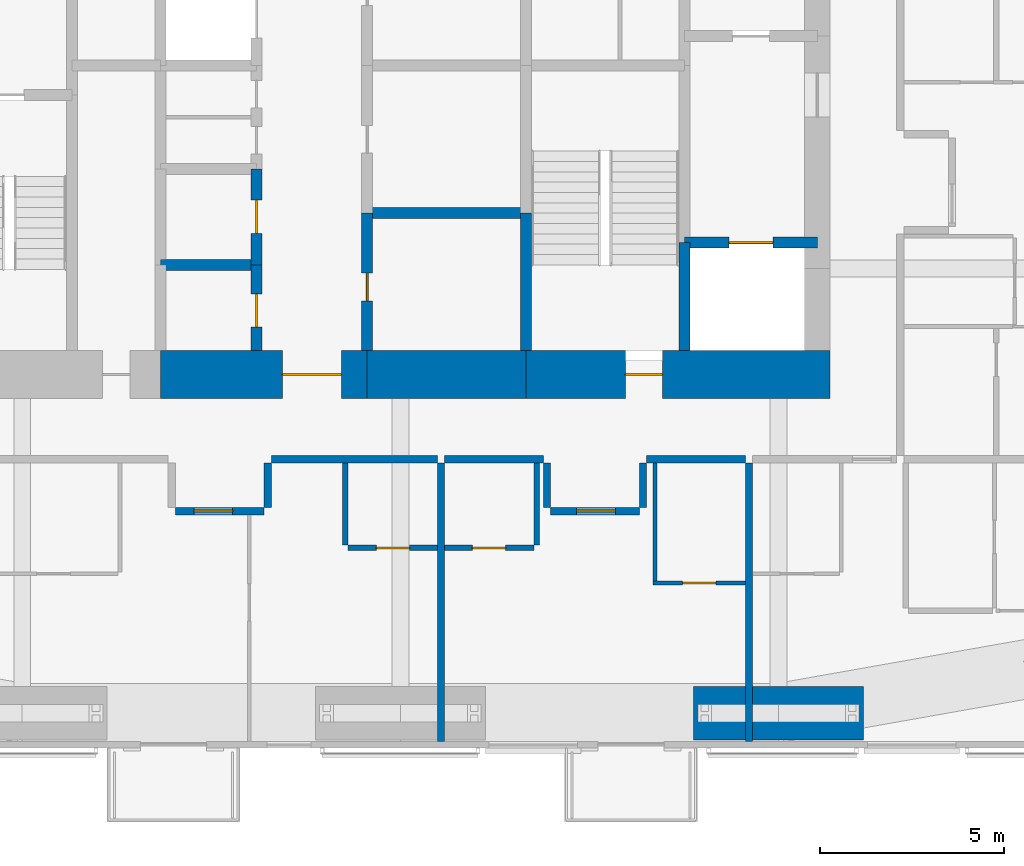
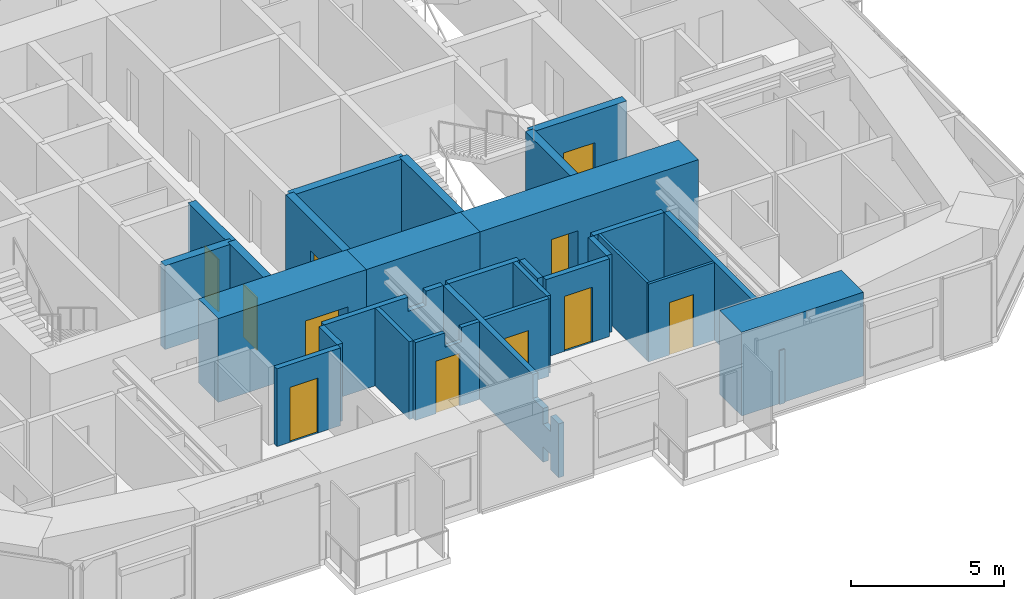
# One storey, part 16 of 23: 28 walls, 11 doors, 11 openings.
"""IFC4 building model written with IfcOpenShell, lengths in metres."""

import ifcopenshell
import ifcopenshell.guid

model = None  # the IFC model being written
_history = None  # IfcOwnerHistory: only IFC2X3 demands one
_inside = {}  # id of a spatial element -> (the spatial element, [elements in it])
_under = {}  # id of a project, library or spatial element -> (it, [spatial elements below it])
_declared = {}  # id of a project -> (the project, [libraries it declares])
_typed = {}  # id of a type object -> (the type object, [elements of that type])
_made_of = {}  # id of a material, layer set ... -> (it, [elements and type objects made of it])


def new_model(schema):
    """Start an empty IFC model of exactly this schema.

    Asked for "IFC4X3", IfcOpenShell would pick the latest addendum, in which some entities
    have other attributes; the version numbers below select the first issue.
    IFC2X3 requires an IfcOwnerHistory on every rooted entity: one is made here for all.
    """
    global model, _history
    if schema == "IFC4X3":
        model = ifcopenshell.file(schema_version=(4, 3, 0, 0))
    else:
        model = ifcopenshell.file(schema=schema)
    _inside.clear()
    _under.clear()
    _declared.clear()
    _typed.clear()
    _made_of.clear()
    _history = None
    if model.schema == "IFC2X3":
        org = make("IfcOrganization", Name="unknown")
        user = make(
            "IfcPersonAndOrganization",
            ThePerson=make("IfcPerson", FamilyName="unknown"),
            TheOrganization=org,
        )
        app = make(
            "IfcApplication",
            ApplicationDeveloper=org,
            Version="unknown",
            ApplicationFullName="unknown",
            ApplicationIdentifier="unknown",
        )
        _history = make(
            "IfcOwnerHistory",
            OwningUser=user,
            OwningApplication=app,
            ChangeAction="ADDED",
            CreationDate=0,
        )
    return model


def make(cls, **values):
    """One entity of the class cls with the attributes given. An attribute that is None is left unset."""
    return model.create_entity(
        cls, **{name: value for name, value in values.items() if value is not None}
    )


def rooted(cls, **values):
    """An entity with a GlobalId (a new one), such as an element, a storey or a relation."""
    return make(cls, GlobalId=ifcopenshell.guid.new(), OwnerHistory=_history, **values)


def si_unit(unit_type, name, prefix=None):
    """IfcSIUnit, for example si_unit("LENGTHUNIT", "METRE", prefix="MILLI")."""
    return make("IfcSIUnit", UnitType=unit_type, Prefix=prefix, Name=name)


def assignment(units):
    """IfcUnitAssignment: the units of a project."""
    return None if units is None else make("IfcUnitAssignment", Units=units)


def point(xyz):
    """IfcCartesianPoint."""
    return None if xyz is None else make("IfcCartesianPoint", Coordinates=xyz)


def direction(xyz):
    """IfcDirection."""
    return None if xyz is None else make("IfcDirection", DirectionRatios=xyz)


def frame(location, z_axis=None, x_axis=None):
    """IfcAxis2Placement3D, a coordinate frame: its origin and axes. An axis left out is left unset."""
    return make(
        "IfcAxis2Placement3D",
        Location=point(location),
        Axis=direction(z_axis),
        RefDirection=direction(x_axis),
    )


def frame_2d(location, x_axis=None):
    """IfcAxis2Placement2D, a coordinate frame in the plane: its origin and x axis."""
    return make(
        "IfcAxis2Placement2D", Location=point(location), RefDirection=direction(x_axis)
    )


def origin():
    """The frame at (0, 0, 0) with its axes left unset."""
    return frame((0.0, 0.0, 0.0))


def place(relative_to, where):
    """IfcLocalPlacement: puts the frame where relative to a parent placement (None: the world)."""
    return make(
        "IfcLocalPlacement", PlacementRelTo=relative_to, RelativePlacement=where
    )


def context(
    kind, dimensions, precision=None, world=None, true_north=None, identifier=None
):
    """IfcGeometricRepresentationContext, for example the 3D "Model" context."""
    return make(
        "IfcGeometricRepresentationContext",
        ContextIdentifier=identifier,
        ContextType=kind,
        CoordinateSpaceDimension=dimensions,
        Precision=precision,
        WorldCoordinateSystem=world,
        TrueNorth=true_north,
    )


def subcontext(parent, identifier, kind, view, scale=None):
    """IfcGeometricRepresentationSubContext, for example "Body" below "Model"."""
    return make(
        "IfcGeometricRepresentationSubContext",
        ContextIdentifier=identifier,
        ContextType=kind,
        ParentContext=parent,
        TargetScale=scale,
        TargetView=view,
    )


def project(units=None, contexts=None):
    """IfcProject with its units and contexts."""
    return rooted(
        "IfcProject",
        Name="project",
        RepresentationContexts=contexts,
        UnitsInContext=assignment(units),
    )


def spatial(cls, under=None, at=None, **own):
    """A site, building, storey or space (cls), placed at a placement, below another one or the project."""
    s = rooted(cls, ObjectPlacement=at, **own)
    if under is not None:
        _under.setdefault(under.id(), (under, []))[1].append(s)
    return s


def polyline(points):
    """IfcPolyline through the points."""
    return make("IfcPolyline", Points=[point(p) for p in points])


def profile(cls, at=None, kind="AREA", **sizes):
    """A parametric profile (cls). Its sizes go by their IFC names, for example OverallWidth=200.0."""
    return make(cls, ProfileType=kind, Position=at, **sizes)


def rectangle(**sizes):
    """IfcRectangleProfileDef."""
    return profile("IfcRectangleProfileDef", **sizes)


def outline(outer, holes=None, kind="AREA"):
    """IfcArbitraryClosedProfileDef: a profile drawn as a closed curve; with holes, ...WithVoids."""
    if holes is None:
        return make("IfcArbitraryClosedProfileDef", ProfileType=kind, OuterCurve=outer)
    return make(
        "IfcArbitraryProfileDefWithVoids",
        ProfileType=kind,
        OuterCurve=outer,
        InnerCurves=holes,
    )


def extrude(swept, where, along, depth):
    """IfcExtrudedAreaSolid: the profile swept, set in the frame where, extruded along a direction by depth."""
    return make(
        "IfcExtrudedAreaSolid",
        SweptArea=swept,
        Position=where,
        ExtrudedDirection=direction(along),
        Depth=depth,
    )


def shape(context_of_items, identifier, shape_type, items):
    """IfcShapeRepresentation: the items that make up one representation, for example the "Body"."""
    return make(
        "IfcShapeRepresentation",
        ContextOfItems=context_of_items,
        RepresentationIdentifier=identifier,
        RepresentationType=shape_type,
        Items=items,
    )


def material(Name=None, Category=None):
    """IfcMaterial."""
    return make("IfcMaterial", Name=Name, Category=Category)


def layer(
    of_material, thickness, ventilated=None, Name=None, Category=None, Priority=None
):
    """IfcMaterialLayer: one layer of a wall or slab, of a material (None: an air gap)."""
    return make(
        "IfcMaterialLayer",
        Material=of_material,
        LayerThickness=thickness,
        IsVentilated=ventilated,
        Name=Name,
        Category=Category,
        Priority=Priority,
    )


def layer_set(layers, Name=None):
    """IfcMaterialLayerSet."""
    return make("IfcMaterialLayerSet", MaterialLayers=layers, LayerSetName=Name)


def constituent(of_material, Name=None, Category=None, fraction=None):
    """IfcMaterialConstituent: one of the materials an element consists of."""
    return make(
        "IfcMaterialConstituent",
        Name=Name,
        Material=of_material,
        Fraction=fraction,
        Category=Category,
    )


def constituent_set(constituents=None, Name=None):
    """IfcMaterialConstituentSet."""
    return make(
        "IfcMaterialConstituentSet", Name=Name, MaterialConstituents=constituents
    )


def made_of(thing, what):
    """Note that an element or type object is made of a material, layer set ...; save() writes the relation."""
    if what is not None:
        _made_of.setdefault(what.id(), (what, []))[1].append(thing)
    return thing


def type_object(cls, material=None, **own):
    """A type object (cls), such as IfcWallType, which elements share."""
    return made_of(rooted(cls, **own), material)


def element(
    cls,
    number,
    at=None,
    inside=None,
    cuts=None,
    type_object=None,
    material=None,
    context=None,
    identifier="Body",
    shape_type=None,
    held_by="IfcProductDefinitionShape",
    body=None,
    shapes=None,
    **own,
):
    """One element of the class cls, such as IfcWall. Its Tag is "e" and its number.

    at: its placement. inside: the storey or other place that contains it. cuts: it is an
    opening in that element (IfcRelVoidsElement). A single representation is given by context,
    identifier, shape_type and body (its items); several are given by shapes. held_by: the class
    of the entity that holds the representations. save() writes the other relations.
    """
    e = rooted(cls, Tag="e%d" % number, ObjectPlacement=at, **own)
    if body is not None:
        shapes = [shape(context, identifier, shape_type, body)]
    if shapes is not None:
        e.Representation = make(held_by, Representations=shapes)
    if inside is not None:
        _inside.setdefault(inside.id(), (inside, []))[1].append(e)
    if cuts is not None:
        rooted(
            "IfcRelVoidsElement", RelatingBuildingElement=cuts, RelatedOpeningElement=e
        )
    if type_object is not None:
        _typed.setdefault(type_object.id(), (type_object, []))[1].append(e)
    return made_of(e, material)


def fill(opening, filler):
    """IfcRelFillsElement: the door or window that sits in an opening."""
    return rooted(
        "IfcRelFillsElement",
        RelatingOpeningElement=opening,
        RelatedBuildingElement=filler,
    )


def aggregate(whole, parts):
    """IfcRelAggregates: a whole, such as a stair, and the parts it consists of."""
    return rooted("IfcRelAggregates", RelatingObject=whole, RelatedObjects=parts)


def save(model, path):
    """Write the relations noted so far, then the file.

    IfcRelAggregates (storeys below a building ...), IfcRelContainedInSpatialStructure (elements
    in a storey), IfcRelDefinesByType, IfcRelAssociatesMaterial and IfcRelDeclares: one each for
    every whole, place, type object, material and project.
    """
    for whole, parts in _under.values():
        aggregate(whole, parts)
    for where, things in _inside.values():
        rooted(
            "IfcRelContainedInSpatialStructure",
            RelatedElements=things,
            RelatingStructure=where,
        )
    for kind, things in _typed.values():
        rooted("IfcRelDefinesByType", RelatedObjects=things, RelatingType=kind)
    for what, things in _made_of.values():
        rooted("IfcRelAssociatesMaterial", RelatedObjects=things, RelatingMaterial=what)
    for by, libraries in _declared.values():
        rooted("IfcRelDeclares", RelatingContext=by, RelatedDefinitions=libraries)
    model.write(path)


model = new_model("IFC4")

# Units and contexts
model_context = context("Model", 3, precision=1e-05, world=origin(), true_north=direction((0.0, 1.0)))
body_context = subcontext(model_context, "Body", "Model", "MODEL_VIEW")
ifc_project = project(units=[si_unit("LENGTHUNIT", "METRE"), si_unit("AREAUNIT", "SQUARE_METRE"), si_unit("VOLUMEUNIT", "CUBIC_METRE"), si_unit("PLANEANGLEUNIT", "RADIAN"), si_unit("MASSUNIT", "GRAM", prefix="KILO")], contexts=[model_context])

# Site, building, storey
site_placement = place(None, origin())
site = spatial("IfcSite", under=ifc_project, at=site_placement, CompositionType="ELEMENT")
building_placement = place(site_placement, origin())
building = spatial("IfcBuilding", under=site, at=building_placement, Name="Jalousie Tower", CompositionType="ELEMENT")
storey_placement = place(building_placement, frame((0.0, 0.0, 164.39990234375)))
storey = spatial("IfcBuildingStorey", under=building, at=storey_placement, Name="L44", CompositionType="ELEMENT", Elevation=164.39990234375)

# Wall, opening, door
ifc_material_1 = material(Name="Concrete block ASTM C90", Category="concrete")
ifc_constituent_1 = constituent(ifc_material_1, Name="Body")
ifc_material_2 = material(Name="Render")
ifc_constituent_2 = constituent(ifc_material_2, Name="Finish")
ifc_constituent_set_1 = constituent_set(constituents=[ifc_constituent_1, ifc_constituent_2])
wall_type_1 = type_object("IfcWallType", Name="BATHROOM WALL 150", PredefinedType="PLUMBINGWALL", material=ifc_constituent_set_1)
wall_1_placement = place(storey_placement, frame((31.074951171875, 5.425048828125, 0.0), z_axis=(0.0, 0.0, 1.0), x_axis=(1.0, 0.0, 0.0)))
wall_1 = element("IfcWall", 1, at=wall_1_placement, inside=storey, type_object=wall_type_1, Name="Bathroom Wall 150 L44", PredefinedType="PLUMBINGWALL", context=body_context, shape_type="SweptSolid", body=[
    extrude(outline(polyline([(0.0, 0.0), (2.425048828125, 0.0), (2.425048828125, 3.110107421875), (1.7373046875, 3.110107421875), (1.7373046875, 2.541015625), (1.112548828125, 2.541015625), (1.112548828125, 3.110107421875), (0.0, 3.110107421875), (0.0, 0.0)])), frame((0.0, 0.074951171875, 0.0), z_axis=(0.0, -1.0, 0.0), x_axis=(1.0, 0.0, 0.0)), (0.0, 0.0, 1.0), 0.14990234375),
])
opening_1_placement = place(wall_1_placement, frame((0.77490234375, 0.0, 0.0)))
opening_1 = element("IfcOpeningElement", 2, at=opening_1_placement, cuts=wall_1, Name="Opening D3", PredefinedType="OPENING", context=body_context, shape_type="SweptSolid", body=[
    extrude(rectangle(XDim=0.89990234375, YDim=2.10009765625, at=frame_2d((0.449951171875, 1.050048828125))), frame((0.0, 0.0849609375, 0.0), z_axis=(0.0, -1.0, 0.0), x_axis=(1.0, 0.0, 0.0)), (0.0, 0.0, 1.0), 0.169921875),
])
ifc_material_3 = material(Name="Timber door", Category="wood")
door_type_1 = type_object("IfcDoorType", Name="BATHROOM DOOR 900", OperationType="SINGLE_SWING_LEFT", PredefinedType="DOOR", material=ifc_material_3)
door_1_placement = place(opening_1_placement, origin())
door_1 = element("IfcDoor", 3, at=door_1_placement, inside=storey, type_object=door_type_1, Name="Apartment 4402 bathroom door", OperationType="SINGLE_SWING_RIGHT", OverallHeight=2.10009765625, OverallWidth=0.89990234375, PredefinedType="DOOR", context=body_context, shape_type="SweptSolid", body=[
    extrude(rectangle(XDim=0.89990234375, YDim=2.10009765625, at=frame_2d((0.449951171875, 1.050048828125))), frame((0.0, 0.02490234375, 0.0), z_axis=(0.0, -1.0, 0.0), x_axis=(1.0, 0.0, 0.0)), (0.0, 0.0, 1.0), 0.050048828125),
])
fill(opening_1, door_1)

# Wall
wall_2_placement = place(storey_placement, frame((31.0, 5.5, 0.0), z_axis=(0.0, 0.0, 1.0), x_axis=(0.0, 1.0, 0.0)))
element("IfcWall", 4, at=wall_2_placement, inside=storey, type_object=wall_type_1, Name="Bathroom Wall 150 L44", PredefinedType="PLUMBINGWALL", context=body_context, shape_type="SweptSolid", body=[
    extrude(rectangle(XDim=2.22509765625, YDim=0.14990234375, at=frame_2d((1.112548828125, 0.0))), origin(), (0.0, 0.0, 1.0), 3.110107421875),
])

# Wall, opening, door
wall_3_placement = place(storey_placement, frame((33.699951171875, 5.425048828125, 0.0), z_axis=(0.0, 0.0, 1.0), x_axis=(1.0, 0.0, 0.0)))
wall_3 = element("IfcWall", 5, at=wall_3_placement, inside=storey, type_object=wall_type_1, Name="Bathroom Wall 150 L44", PredefinedType="PLUMBINGWALL", context=body_context, shape_type="SweptSolid", body=[
    extrude(rectangle(XDim=2.425048828125, YDim=0.14990234375, at=frame_2d((1.21240234375, 0.0))), origin(), (0.0, 0.0, 1.0), 3.110107421875),
])
opening_2_placement = place(wall_3_placement, frame((0.75, 0.0, 0.0)))
opening_2 = element("IfcOpeningElement", 6, at=opening_2_placement, cuts=wall_3, Name="Opening D3", PredefinedType="OPENING", context=body_context, shape_type="SweptSolid", body=[
    extrude(rectangle(XDim=0.89990234375, YDim=2.10009765625, at=frame_2d((0.449951171875, 1.050048828125))), frame((0.0, 0.0849609375, 0.0), z_axis=(0.0, -1.0, 0.0), x_axis=(1.0, 0.0, 0.0)), (0.0, 0.0, 1.0), 0.169921875),
])
door_2_placement = place(opening_2_placement, origin())
door_2 = element("IfcDoor", 7, at=door_2_placement, inside=storey, type_object=door_type_1, Name="Apartment 4403 bathroom door", OperationType="SINGLE_SWING_LEFT", OverallHeight=2.10009765625, OverallWidth=0.89990234375, PredefinedType="DOOR", context=body_context, shape_type="SweptSolid", body=[
    extrude(rectangle(XDim=0.89990234375, YDim=2.10009765625, at=frame_2d((0.449951171875, 1.050048828125))), frame((0.0, 0.02490234375, 0.0), z_axis=(0.0, -1.0, 0.0), x_axis=(1.0, 0.0, 0.0)), (0.0, 0.0, 1.0), 0.050048828125),
])
fill(opening_2, door_2)

# Wall
wall_4_placement = place(storey_placement, frame((36.199951171875, 5.5, 0.0), z_axis=(0.0, 0.0, 1.0), x_axis=(0.0, 1.0, 0.0)))
element("IfcWall", 8, at=wall_4_placement, inside=storey, type_object=wall_type_1, Name="Bathroom Wall 150 L44", PredefinedType="PLUMBINGWALL", context=body_context, shape_type="SweptSolid", body=[
    extrude(rectangle(XDim=2.22509765625, YDim=0.14990234375, at=frame_2d((1.112548828125, 0.0))), origin(), (0.0, 0.0, 1.0), 3.110107421875),
])

# Wall, opening, door
ifc_material_4 = material(Name="Concrete f'c 120 MPa", Category="concrete")
ifc_layer_1 = layer(ifc_material_4, 1.300048828125)
ifc_layer_set_1 = layer_set([ifc_layer_1], Name="Concrete f'c 120 MPa")
wall_type_2 = type_object("IfcWallType", Name="CORE WALL 1300", PredefinedType="SHEAR", material=ifc_layer_set_1)
wall_5_placement = place(storey_placement, frame((26.0, 10.125, 0.0), z_axis=(0.0, 0.0, 1.0), x_axis=(1.0, 0.0, 0.0)))
wall_5 = element("IfcWall", 9, at=wall_5_placement, inside=storey, type_object=wall_type_2, Name="Core wall SB L44", PredefinedType="SHEAR", context=body_context, shape_type="SweptSolid", body=[
    extrude(rectangle(XDim=5.60009765625, YDim=1.300048828125, at=frame_2d((2.800048828125, 0.0))), origin(), (0.0, 0.0, 1.0), 3.35009765625),
])
opening_3_placement = place(wall_5_placement, frame((3.300048828125, 0.0, 0.0)))
opening_3 = element("IfcOpeningElement", 10, at=opening_3_placement, cuts=wall_5, Name="Opening D15", PredefinedType="OPENING", context=body_context, shape_type="SweptSolid", body=[
    extrude(rectangle(XDim=1.60009765625, YDim=2.10009765625, at=frame_2d((0.800048828125, 1.050048828125))), frame((0.0, 0.659912109375, 0.0), z_axis=(0.0, -1.0, 0.0), x_axis=(1.0, 0.0, 0.0)), (0.0, 0.0, 1.0), 1.320068359375),
])
ifc_material_5 = material(Name="Steel fire door", Category="steel")
door_type_2 = type_object("IfcDoorType", Name="LIFT LOBBY DOOR 1600", OperationType="DOUBLE_DOOR_SINGLE_SWING", PredefinedType="DOOR", material=ifc_material_5)
door_3_placement = place(opening_3_placement, origin())
door_3 = element("IfcDoor", 11, at=door_3_placement, inside=storey, type_object=door_type_2, Name="Lift lobby south door", OperationType="DOUBLE_DOOR_SINGLE_SWING", OverallHeight=2.10009765625, OverallWidth=1.60009765625, PredefinedType="DOOR", context=body_context, shape_type="SweptSolid", body=[
    extrude(rectangle(XDim=1.60009765625, YDim=2.10009765625, at=frame_2d((0.800048828125, 1.050048828125))), frame((0.0, 0.02490234375, 0.0), z_axis=(0.0, -1.0, 0.0), x_axis=(1.0, 0.0, 0.0)), (0.0, 0.0, 1.0), 0.050048828125),
])
fill(opening_3, door_3)

# Wall
wall_6_placement = place(storey_placement, frame((31.60009765625, 10.125, 0.0), z_axis=(0.0, 0.0, 1.0), x_axis=(1.0, 0.0, 0.0)))
element("IfcWall", 12, at=wall_6_placement, inside=storey, type_object=wall_type_2, Name="Core wall SC L44", PredefinedType="SHEAR", context=body_context, shape_type="SweptSolid", body=[
    extrude(rectangle(XDim=4.2998046875, YDim=1.300048828125, at=frame_2d((2.14990234375, 0.0))), origin(), (0.0, 0.0, 1.0), 3.35009765625),
])

# Wall, opening, door
wall_7_placement = place(storey_placement, frame((35.89990234375, 10.125, 0.0), z_axis=(0.0, 0.0, 1.0), x_axis=(1.0, 0.0, 0.0)))
wall_7 = element("IfcWall", 13, at=wall_7_placement, inside=storey, type_object=wall_type_2, Name="Core wall SD L44", PredefinedType="SHEAR", context=body_context, shape_type="SweptSolid", body=[
    extrude(rectangle(XDim=8.25, YDim=1.300048828125, at=frame_2d((4.125, 0.0))), origin(), (0.0, 0.0, 1.0), 3.35009765625),
])
opening_4_placement = place(wall_7_placement, frame((2.699951171875, 0.0, 0.0)))
opening_4 = element("IfcOpeningElement", 14, at=opening_4_placement, cuts=wall_7, Name="Opening D10", PredefinedType="OPENING", context=body_context, shape_type="SweptSolid", body=[
    extrude(rectangle(XDim=1.0, YDim=2.10009765625, at=frame_2d((0.5, 1.050048828125))), frame((0.0, 0.659912109375, 0.0), z_axis=(0.0, -1.0, 0.0), x_axis=(1.0, 0.0, 0.0)), (0.0, 0.0, 1.0), 1.320068359375),
])
ifc_material_6 = material(Name="Steel fire door", Category="steel")
door_type_3 = type_object("IfcDoorType", Name="STAIR DOOR 1000", OperationType="SINGLE_SWING_LEFT", PredefinedType="DOOR", material=ifc_material_6)
door_4_placement = place(opening_4_placement, origin())
door_4 = element("IfcDoor", 15, at=door_4_placement, inside=storey, type_object=door_type_3, Name="Exit stair C door", OperationType="SINGLE_SWING_RIGHT", OverallHeight=2.10009765625, OverallWidth=1.0, PredefinedType="DOOR", context=body_context, shape_type="SweptSolid", body=[
    extrude(rectangle(XDim=1.0, YDim=2.10009765625, at=frame_2d((0.5, 1.050048828125))), frame((0.0, 0.02490234375, 0.0), z_axis=(0.0, -1.0, 0.0), x_axis=(1.0, 0.0, 0.0)), (0.0, 0.0, 1.0), 0.050048828125),
])
fill(opening_4, door_4)

ifc_material_7 = material(Name="Concrete f'c 120 MPa", Category="concrete")
ifc_layer_2 = layer(ifc_material_7, 0.300048828125)
ifc_layer_set_2 = layer_set([ifc_layer_2], Name="Concrete f'c 120 MPa")
wall_type_3 = type_object("IfcWallType", Name="CORE WALL 300", PredefinedType="SHEAR", material=ifc_layer_set_2)
wall_8_placement = place(storey_placement, frame((28.60009765625, 10.77490234375, 0.0), z_axis=(0.0, 0.0, 1.0), x_axis=(0.0, 1.0, 0.0)))
wall_8 = element("IfcWall", 16, at=wall_8_placement, inside=storey, type_object=wall_type_3, Name="Core wall X28.6A L44", PredefinedType="SHEAR", context=body_context, shape_type="SweptSolid", body=[
    extrude(rectangle(XDim=2.3251953125, YDim=0.300048828125, at=frame_2d((1.16259765625, 0.0))), origin(), (0.0, 0.0, 1.0), 3.35009765625),
])
opening_5_placement = place(wall_8_placement, frame((0.637451171875, 0.0, 0.0)))
opening_5 = element("IfcOpeningElement", 17, at=opening_5_placement, cuts=wall_8, Name="Opening D24", PredefinedType="OPENING", context=body_context, shape_type="SweptSolid", body=[
    extrude(rectangle(XDim=0.89990234375, YDim=2.10009765625, at=frame_2d((0.449951171875, 1.050048828125))), frame((0.0, 0.159912109375, 0.0), z_axis=(0.0, -1.0, 0.0), x_axis=(1.0, 0.0, 0.0)), (0.0, 0.0, 1.0), 0.320068359375),
])
ifc_material_8 = material(Name="Steel fire door", Category="steel")
door_type_4 = type_object("IfcDoorType", Name="CORE ROOM DOOR 900", OperationType="SINGLE_SWING_LEFT", PredefinedType="DOOR", material=ifc_material_8)
door_5_placement = place(opening_5_placement, origin())
door_5 = element("IfcDoor", 18, at=door_5_placement, inside=storey, type_object=door_type_4, Name="Staff WC door", OperationType="SINGLE_SWING_RIGHT", OverallHeight=2.10009765625, OverallWidth=0.89990234375, PredefinedType="DOOR", context=body_context, shape_type="SweptSolid", body=[
    extrude(rectangle(XDim=0.89990234375, YDim=2.10009765625, at=frame_2d((0.449951171875, 1.050048828125))), frame((0.0, 0.02490234375, 0.0), z_axis=(0.0, -1.0, 0.0), x_axis=(1.0, 0.0, 0.0)), (0.0, 0.0, 1.0), 0.050048828125),
])
fill(opening_5, door_5)

wall_9_placement = place(storey_placement, frame((28.60009765625, 13.10009765625, 0.0), z_axis=(0.0, 0.0, 1.0), x_axis=(0.0, 1.0, 0.0)))
wall_9 = element("IfcWall", 19, at=wall_9_placement, inside=storey, type_object=wall_type_3, Name="Core wall X28.6B L44", PredefinedType="SHEAR", context=body_context, shape_type="SweptSolid", body=[
    extrude(rectangle(XDim=2.599853515625, YDim=0.300048828125, at=frame_2d((1.2998046875, 0.0))), origin(), (0.0, 0.0, 1.0), 3.35009765625),
])
opening_6_placement = place(wall_9_placement, frame((0.85009765625, 0.0, 0.0)))
opening_6 = element("IfcOpeningElement", 20, at=opening_6_placement, cuts=wall_9, Name="Opening D24", PredefinedType="OPENING", context=body_context, shape_type="SweptSolid", body=[
    extrude(rectangle(XDim=0.89990234375, YDim=2.10009765625, at=frame_2d((0.449951171875, 1.050048828125))), frame((0.0, 0.159912109375, 0.0), z_axis=(0.0, -1.0, 0.0), x_axis=(1.0, 0.0, 0.0)), (0.0, 0.0, 1.0), 0.320068359375),
])
door_6_placement = place(opening_6_placement, origin())
door_6 = element("IfcDoor", 21, at=door_6_placement, inside=storey, type_object=door_type_4, Name="Pantry door", OperationType="SINGLE_SWING_RIGHT", OverallHeight=2.10009765625, OverallWidth=0.89990234375, PredefinedType="DOOR", context=body_context, shape_type="SweptSolid", body=[
    extrude(rectangle(XDim=0.89990234375, YDim=2.10009765625, at=frame_2d((0.449951171875, 1.050048828125))), frame((0.0, 0.02490234375, 0.0), z_axis=(0.0, -1.0, 0.0), x_axis=(1.0, 0.0, 0.0)), (0.0, 0.0, 1.0), 0.050048828125),
])
fill(opening_6, door_6)

wall_10_placement = place(storey_placement, frame((31.60009765625, 10.77490234375, 0.0), z_axis=(0.0, 0.0, 1.0), x_axis=(0.0, 1.0, 0.0)))
wall_10 = element("IfcWall", 22, at=wall_10_placement, inside=storey, type_object=wall_type_3, Name="Core wall X31.6A L44", PredefinedType="SHEAR", context=body_context, shape_type="SweptSolid", body=[
    extrude(rectangle(XDim=3.72509765625, YDim=0.300048828125, at=frame_2d((1.862548828125, 0.0))), origin(), (0.0, 0.0, 1.0), 3.35009765625),
])
opening_7_placement = place(wall_10_placement, frame((1.35009765625, 0.0, 0.0)))
opening_7 = element("IfcOpeningElement", 23, at=opening_7_placement, cuts=wall_10, Name="Opening D16", PredefinedType="OPENING", context=body_context, shape_type="SweptSolid", body=[
    extrude(rectangle(XDim=0.75, YDim=2.10009765625, at=frame_2d((0.375, 1.050048828125))), frame((0.0, 0.159912109375, 0.0), z_axis=(0.0, -1.0, 0.0), x_axis=(1.0, 0.0, 0.0)), (0.0, 0.0, 1.0), 0.320068359375),
])
ifc_material_9 = material(Name="Steel fire door", Category="steel")
door_type_5 = type_object("IfcDoorType", Name="RISER DOOR 750", OperationType="SINGLE_SWING_LEFT", PredefinedType="DOOR", material=ifc_material_9)
door_7_placement = place(opening_7_placement, frame((0.75, 0.0, 0.0), z_axis=(0.0, 0.0, 1.0), x_axis=(-1.0, 0.0, 0.0)))
door_7 = element("IfcDoor", 24, at=door_7_placement, inside=storey, type_object=door_type_5, Name="Refuse Room door", OperationType="SINGLE_SWING_RIGHT", OverallHeight=2.10009765625, OverallWidth=0.75, PredefinedType="DOOR", context=body_context, shape_type="SweptSolid", body=[
    extrude(rectangle(XDim=0.75, YDim=2.10009765625, at=frame_2d((0.375, 1.050048828125))), frame((0.0, 0.02490234375, 0.0), z_axis=(0.0, -1.0, 0.0), x_axis=(1.0, 0.0, 0.0)), (0.0, 0.0, 1.0), 0.050048828125),
])
fill(opening_7, door_7)

# Walls
wall_11_placement = place(storey_placement, frame((35.89990234375, 10.77490234375, 0.0), z_axis=(0.0, 0.0, 1.0), x_axis=(0.0, 1.0, 0.0)))
element("IfcWall", 25, at=wall_11_placement, inside=storey, type_object=wall_type_3, Name="Core wall X35.9A L44", PredefinedType="SHEAR", context=body_context, shape_type="SweptSolid", body=[
    extrude(rectangle(XDim=3.72509765625, YDim=0.300048828125, at=frame_2d((1.862548828125, 0.0))), origin(), (0.0, 0.0, 1.0), 3.35009765625),
])
wall_12_placement = place(storey_placement, frame((40.199951171875, 10.77490234375, 0.0), z_axis=(0.0, 0.0, 1.0), x_axis=(0.0, 1.0, 0.0)))
element("IfcWall", 26, at=wall_12_placement, inside=storey, type_object=wall_type_3, Name="Core wall X40.2A L44", PredefinedType="SHEAR", context=body_context, shape_type="SweptSolid", body=[
    extrude(rectangle(XDim=2.925048828125, YDim=0.300048828125, at=frame_2d((1.46240234375, 0.0))), origin(), (0.0, 0.0, 1.0), 3.35009765625),
])
wall_13_placement = place(storey_placement, frame((26.0, 13.10009765625, 0.0), z_axis=(0.0, 0.0, 1.0), x_axis=(1.0, 0.0, 0.0)))
element("IfcWall", 27, at=wall_13_placement, inside=storey, type_object=wall_type_3, Name="Core wall Y26-13.1 L44", PredefinedType="SHEAR", context=body_context, shape_type="SweptSolid", body=[
    extrude(rectangle(XDim=2.60009765625, YDim=0.300048828125, at=frame_2d((1.300048828125, 0.0))), origin(), (0.0, 0.0, 1.0), 3.35009765625),
])
wall_14_placement = place(storey_placement, frame((31.60009765625, 14.5, 0.0), z_axis=(0.0, 0.0, 1.0), x_axis=(1.0, 0.0, 0.0)))
element("IfcWall", 28, at=wall_14_placement, inside=storey, type_object=wall_type_3, Name="Core wall Y31.6-14.5 L44", PredefinedType="SHEAR", context=body_context, shape_type="SweptSolid", body=[
    extrude(rectangle(XDim=4.2998046875, YDim=0.300048828125, at=frame_2d((2.14990234375, 0.0))), origin(), (0.0, 0.0, 1.0), 3.35009765625),
])

# Wall, opening, door
wall_15_placement = place(storey_placement, frame((40.199951171875, 13.699951171875, 0.0), z_axis=(0.0, 0.0, 1.0), x_axis=(1.0, 0.0, 0.0)))
wall_15 = element("IfcWall", 29, at=wall_15_placement, inside=storey, type_object=wall_type_3, Name="Core wall Y40.2-13.7 L44", PredefinedType="SHEAR", context=body_context, shape_type="SweptSolid", body=[
    extrude(rectangle(XDim=3.60009765625, YDim=0.300048828125, at=frame_2d((1.800048828125, 0.0))), origin(), (0.0, 0.0, 1.0), 3.35009765625),
])
opening_8_placement = place(wall_15_placement, frame((1.199951171875, 0.0, 0.0)))
opening_8 = element("IfcOpeningElement", 30, at=opening_8_placement, cuts=wall_15, Name="Opening LD2", PredefinedType="OPENING", context=body_context, shape_type="SweptSolid", body=[
    extrude(rectangle(XDim=1.199951171875, YDim=2.10009765625, at=frame_2d((0.60009765625, 1.050048828125))), frame((0.0, 0.159912109375, 0.0), z_axis=(0.0, -1.0, 0.0), x_axis=(1.0, 0.0, 0.0)), (0.0, 0.0, 1.0), 0.320068359375),
])
ifc_material_10 = material(Name="Steel lift landing door", Category="steel")
door_type_6 = type_object("IfcDoorType", Name="LIFT LANDING DOOR 1200", OperationType="SLIDING_TO_LEFT", PredefinedType="DOOR", material=ifc_material_10)
door_8_placement = place(opening_8_placement, origin())
door_8 = element("IfcDoor", 31, at=door_8_placement, inside=storey, type_object=door_type_6, Name="Lift F2 landing door", OperationType="SLIDING_TO_LEFT", OverallHeight=2.10009765625, OverallWidth=1.199951171875, PredefinedType="DOOR", context=body_context, shape_type="SweptSolid", body=[
    extrude(rectangle(XDim=1.199951171875, YDim=2.10009765625, at=frame_2d((0.60009765625, 1.050048828125))), frame((0.0, 0.02490234375, 0.0), z_axis=(0.0, -1.0, 0.0), x_axis=(1.0, 0.0, 0.0)), (0.0, 0.0, 1.0), 0.050048828125),
])
fill(opening_8, door_8)

# Walls
ifc_material_11 = material(Name="Concrete block ASTM C90", Category="concrete")
ifc_constituent_3 = constituent(ifc_material_11, Name="Body")
ifc_material_12 = material(Name="Render")
ifc_constituent_4 = constituent(ifc_material_12, Name="Finish")
ifc_constituent_set_2 = constituent_set(constituents=[ifc_constituent_3, ifc_constituent_4])
wall_type_4 = type_object("IfcWallType", Name="CORRIDOR WALL 200", PredefinedType="PARTITIONING", material=ifc_constituent_set_2)
wall_16_placement = place(storey_placement, frame((33.699951171875, 7.824951171875, 0.0), z_axis=(0.0, 0.0, 1.0), x_axis=(1.0, 0.0, 0.0)))
element("IfcWall", 32, at=wall_16_placement, inside=storey, type_object=wall_type_4, Name="Corridor Wall 200 L44", PredefinedType="PARTITIONING", context=body_context, shape_type="SweptSolid", body=[
    extrude(rectangle(XDim=2.675048828125, YDim=0.199951171875, at=frame_2d((1.33740234375, 0.0))), origin(), (0.0, 0.0, 1.0), 3.110107421875),
])
wall_17_placement = place(storey_placement, frame((29.0, 7.824951171875, 0.0), z_axis=(0.0, 0.0, 1.0), x_axis=(1.0, 0.0, 0.0)))
element("IfcWall", 33, at=wall_17_placement, inside=storey, type_object=wall_type_4, Name="Corridor Wall 200 L44", PredefinedType="PARTITIONING", context=body_context, shape_type="SweptSolid", body=[
    extrude(outline(polyline([(0.0, 0.0), (4.5, 0.0), (4.5, 3.110107421875), (3.83740234375, 3.110107421875), (3.83740234375, 2.541015625), (3.16259765625, 2.541015625), (3.16259765625, 3.110107421875), (0.0, 3.110107421875), (0.0, 0.0)])), frame((0.0, 0.10009765625, 0.0), z_axis=(0.0, -1.0, 0.0), x_axis=(1.0, 0.0, 0.0)), (0.0, 0.0, 1.0), 0.199951171875),
])

# Wall, opening, door
wall_18_placement = place(storey_placement, frame((26.39990234375, 6.425048828125, 0.0), z_axis=(0.0, 0.0, 1.0), x_axis=(1.0, 0.0, 0.0)))
wall_18 = element("IfcWall", 34, at=wall_18_placement, inside=storey, type_object=wall_type_4, Name="Corridor Wall 200 L44", PredefinedType="PARTITIONING", context=body_context, shape_type="SweptSolid", body=[
    extrude(rectangle(XDim=2.400146484375, YDim=0.199951171875, at=frame_2d((1.2001953125, 0.0))), origin(), (0.0, 0.0, 1.0), 3.110107421875),
])
opening_9_placement = place(wall_18_placement, frame((0.5, 0.0, 0.0)))
opening_9 = element("IfcOpeningElement", 35, at=opening_9_placement, cuts=wall_18, Name="Opening D1", PredefinedType="OPENING", context=body_context, shape_type="SweptSolid", body=[
    extrude(rectangle(XDim=1.050048828125, YDim=2.199951171875, at=frame_2d((0.52490234375, 1.10009765625))), frame((0.0, 0.10986328125, 0.0), z_axis=(0.0, -1.0, 0.0), x_axis=(1.0, 0.0, 0.0)), (0.0, 0.0, 1.0), 0.219970703125),
])
ifc_material_13 = material(Name="Timber fire door", Category="wood")
door_type_7 = type_object("IfcDoorType", Name="APARTMENT ENTRANCE DOOR 1050", OperationType="SINGLE_SWING_LEFT", PredefinedType="DOOR", material=ifc_material_13)
door_9_placement = place(opening_9_placement, frame((1.050048828125, 0.0, 0.0), z_axis=(0.0, 0.0, 1.0), x_axis=(-1.0, 0.0, 0.0)))
door_9 = element("IfcDoor", 36, at=door_9_placement, inside=storey, type_object=door_type_7, Name="Apartment 4402 entrance", OperationType="SINGLE_SWING_LEFT", OverallHeight=2.199951171875, OverallWidth=1.050048828125, PredefinedType="DOOR", context=body_context, shape_type="SweptSolid", body=[
    extrude(rectangle(XDim=1.050048828125, YDim=2.199951171875, at=frame_2d((0.52490234375, 1.10009765625))), frame((0.0, 0.02490234375, 0.0), z_axis=(0.0, -1.0, 0.0), x_axis=(1.0, 0.0, 0.0)), (0.0, 0.0, 1.0), 0.050048828125),
])
fill(opening_9, door_9)

# Walls
wall_19_placement = place(storey_placement, frame((28.89990234375, 7.72509765625, 0.0), z_axis=(0.0, 0.0, 1.0), x_axis=(0.0, -1.0, 0.0)))
element("IfcWall", 37, at=wall_19_placement, inside=storey, type_object=wall_type_4, Name="Corridor Wall 200 L44", PredefinedType="PARTITIONING", context=body_context, shape_type="SweptSolid", body=[
    extrude(rectangle(XDim=1.2001953125, YDim=0.199951171875, at=frame_2d((0.60009765625, 0.0))), origin(), (0.0, 0.0, 1.0), 3.110107421875),
])
wall_20_placement = place(storey_placement, frame((39.175048828125, 7.824951171875, 0.0), z_axis=(0.0, 0.0, 1.0), x_axis=(1.0, 0.0, 0.0)))
element("IfcWall", 38, at=wall_20_placement, inside=storey, type_object=wall_type_4, Name="Corridor Wall 200 L44", PredefinedType="PARTITIONING", context=body_context, shape_type="SweptSolid", body=[
    extrude(rectangle(XDim=2.675048828125, YDim=0.199951171875, at=frame_2d((1.33740234375, 0.0))), origin(), (0.0, 0.0, 1.0), 3.110107421875),
])

# Wall, opening, door
wall_21_placement = place(storey_placement, frame((36.574951171875, 6.425048828125, 0.0), z_axis=(0.0, 0.0, 1.0), x_axis=(1.0, 0.0, 0.0)))
wall_21 = element("IfcWall", 39, at=wall_21_placement, inside=storey, type_object=wall_type_4, Name="Corridor Wall 200 L44", PredefinedType="PARTITIONING", context=body_context, shape_type="SweptSolid", body=[
    extrude(rectangle(XDim=2.400146484375, YDim=0.199951171875, at=frame_2d((1.2001953125, 0.0))), origin(), (0.0, 0.0, 1.0), 3.110107421875),
])
opening_10_placement = place(wall_21_placement, frame((0.699951171875, 0.0, 0.0)))
opening_10 = element("IfcOpeningElement", 40, at=opening_10_placement, cuts=wall_21, Name="Opening D1", PredefinedType="OPENING", context=body_context, shape_type="SweptSolid", body=[
    extrude(rectangle(XDim=1.050048828125, YDim=2.199951171875, at=frame_2d((0.52490234375, 1.10009765625))), frame((0.0, 0.10986328125, 0.0), z_axis=(0.0, -1.0, 0.0), x_axis=(1.0, 0.0, 0.0)), (0.0, 0.0, 1.0), 0.219970703125),
])
door_10_placement = place(opening_10_placement, frame((1.050048828125, 0.0, 0.0), z_axis=(0.0, 0.0, 1.0), x_axis=(-1.0, 0.0, 0.0)))
door_10 = element("IfcDoor", 41, at=door_10_placement, inside=storey, type_object=door_type_7, Name="Apartment 4403 entrance", OperationType="SINGLE_SWING_RIGHT", OverallHeight=2.199951171875, OverallWidth=1.050048828125, PredefinedType="DOOR", context=body_context, shape_type="SweptSolid", body=[
    extrude(rectangle(XDim=1.050048828125, YDim=2.199951171875, at=frame_2d((0.52490234375, 1.10009765625))), frame((0.0, 0.02490234375, 0.0), z_axis=(0.0, -1.0, 0.0), x_axis=(1.0, 0.0, 0.0)), (0.0, 0.0, 1.0), 0.050048828125),
])
fill(opening_10, door_10)

# Walls
for number, where, z_axis, x_axis, name in (
    (42, (36.47509765625, 7.72509765625, 0.0), (0.0, 0.0, 1.0), (0.0, -1.0, 0.0), "Corridor Wall 200 L44"),
    (43, (39.074951171875, 7.72509765625, 0.0), (0.0, 0.0, 1.0), (0.0, -1.0, 0.0), "Corridor Wall 200 L44"),
):
    element("IfcWall", number, at=place(storey_placement, frame(where, z_axis=z_axis, x_axis=x_axis)), inside=storey, type_object=wall_type_4, Name=name, PredefinedType="PARTITIONING", context=body_context, shape_type="SweptSolid", body=[
        extrude(rectangle(XDim=1.2001953125, YDim=0.199951171875, at=frame_2d((0.60009765625, 0.0))), origin(), (0.0, 0.0, 1.0), 3.110107421875),
    ])

# Wall, opening, door
ifc_material_14 = material(Name="Gypsum board", Category="gypsum")
ifc_constituent_5 = constituent(ifc_material_14, Name="Body")
ifc_material_15 = material(Name="Light-gauge steel studs ASTM A653 SS Grade 33", Category="steel")
ifc_constituent_6 = constituent(ifc_material_15, Name="Framing")
ifc_constituent_set_3 = constituent_set(constituents=[ifc_constituent_5, ifc_constituent_6])
wall_type_5 = type_object("IfcWallType", Name="PARTITION 100", PredefinedType="PARTITIONING", material=ifc_constituent_set_3)
wall_22_placement = place(storey_placement, frame((41.85009765625, 4.47509765625, 0.0), z_axis=(0.0, 0.0, 1.0), x_axis=(-1.0, 0.0, 0.0)))
wall_22 = element("IfcWall", 44, at=wall_22_placement, inside=storey, type_object=wall_type_5, Name="Partition 100 L44", PredefinedType="PARTITIONING", context=body_context, shape_type="SweptSolid", body=[
    extrude(rectangle(XDim=2.5, YDim=0.10009765625, at=frame_2d((1.25, 0.0))), origin(), (0.0, 0.0, 1.0), 3.110107421875),
])
opening_11_placement = place(wall_22_placement, frame((0.800048828125, 0.0, 0.0)))
opening_11 = element("IfcOpeningElement", 45, at=opening_11_placement, cuts=wall_22, Name="Opening D7", PredefinedType="OPENING", context=body_context, shape_type="SweptSolid", body=[
    extrude(rectangle(XDim=0.89990234375, YDim=2.10009765625, at=frame_2d((0.449951171875, 1.050048828125))), frame((0.0, 0.06005859375, 0.0), z_axis=(0.0, -1.0, 0.0), x_axis=(1.0, 0.0, 0.0)), (0.0, 0.0, 1.0), 0.1201171875),
])
ifc_material_16 = material(Name="Timber door", Category="wood")
door_type_8 = type_object("IfcDoorType", Name="INTERNAL DOOR 900", OperationType="SINGLE_SWING_LEFT", PredefinedType="DOOR", material=ifc_material_16)
door_11_placement = place(opening_11_placement, frame((0.89990234375, 0.0, 0.0), z_axis=(0.0, 0.0, 1.0), x_axis=(-1.0, 0.0, 0.0)))
door_11 = element("IfcDoor", 46, at=door_11_placement, inside=storey, type_object=door_type_8, Name="Apartment 4403 kitchen door", OperationType="SINGLE_SWING_LEFT", OverallHeight=2.10009765625, OverallWidth=0.89990234375, PredefinedType="DOOR", context=body_context, shape_type="SweptSolid", body=[
    extrude(rectangle(XDim=0.89990234375, YDim=2.10009765625, at=frame_2d((0.449951171875, 1.050048828125))), frame((0.0, 0.02490234375, 0.0), z_axis=(0.0, -1.0, 0.0), x_axis=(1.0, 0.0, 0.0)), (0.0, 0.0, 1.0), 0.050048828125),
])
fill(opening_11, door_11)

# Walls
wall_23_placement = place(storey_placement, frame((39.39990234375, 7.72509765625, 0.0), z_axis=(0.0, 0.0, 1.0), x_axis=(0.0, -1.0, 0.0)))
element("IfcWall", 47, at=wall_23_placement, inside=storey, type_object=wall_type_5, Name="Partition 100 L44", PredefinedType="PARTITIONING", context=body_context, shape_type="SweptSolid", body=[
    extrude(rectangle(XDim=3.2001953125, YDim=0.10009765625, at=frame_2d((1.60009765625, 0.0))), origin(), (0.0, 0.0, 1.0), 3.110107421875),
])
ifc_material_17 = material(Name="Concrete block ASTM C90", Category="concrete")
ifc_constituent_7 = constituent(ifc_material_17, Name="Body")
ifc_material_18 = material(Name="Render")
ifc_constituent_8 = constituent(ifc_material_18, Name="Finish")
ifc_constituent_set_4 = constituent_set(constituents=[ifc_constituent_7, ifc_constituent_8])
wall_type_6 = type_object("IfcWallType", Name="PARTY WALL 200", PredefinedType="PARTITIONING", material=ifc_constituent_set_4)
wall_24_placement = place(storey_placement, frame((33.60009765625, 0.175048828125, 0.0), z_axis=(0.0, 0.0, 1.0), x_axis=(0.0, 1.0, 0.0)))
element("IfcWall", 48, at=wall_24_placement, inside=storey, type_object=wall_type_6, Name="Party Wall 200 L44", PredefinedType="PARTITIONING", context=body_context, shape_type="SweptSolid", body=[
    extrude(outline(polyline([(0.52880859375, 2.150146484375), (0.0, 2.150146484375), (0.0, 0.0), (0.52880859375, 0.0), (0.52880859375, 0.625244140625), (1.021240234375, 0.625244140625), (1.021240234375, 0.0), (7.550048828125, 0.0), (7.550048828125, 3.110107421875), (1.68505859375, 3.110107421875), (1.68505859375, 2.150146484375), (1.021240234375, 2.150146484375), (1.021240234375, 1.52490234375), (0.52880859375, 1.52490234375), (0.52880859375, 2.150146484375)])), frame((0.0, 0.10009765625, 0.0), z_axis=(0.0, -1.0, 0.0), x_axis=(1.0, 0.0, 0.0)), (0.0, 0.0, 1.0), 0.199951171875),
])
wall_25_placement = place(storey_placement, frame((41.949951171875, 0.175048828125, 0.0), z_axis=(0.0, 0.0, 1.0), x_axis=(0.0, 1.0, 0.0)))
element("IfcWall", 49, at=wall_25_placement, inside=storey, type_object=wall_type_6, Name="Party Wall 200 L44", PredefinedType="PARTITIONING", context=body_context, shape_type="SweptSolid", body=[
    extrude(outline(polyline([(0.52880859375, 2.150146484375), (0.0, 2.150146484375), (0.0, 0.0), (0.52880859375, 0.0), (0.52880859375, 0.87646484375), (1.021240234375, 0.87646484375), (1.021240234375, 0.0), (7.550048828125, 0.0), (7.550048828125, 3.110107421875), (1.68505859375, 3.110107421875), (1.68505859375, 2.150146484375), (1.021240234375, 2.150146484375), (1.021240234375, 1.273681640625), (0.52880859375, 1.273681640625), (0.52880859375, 2.150146484375)])), frame((0.0, 0.10009765625, 0.0), z_axis=(0.0, -1.0, 0.0), x_axis=(1.0, 0.0, 0.0)), (0.0, 0.0, 1.0), 0.199951171875),
])
ifc_material_19 = material(Name="Concrete f'c 120 MPa", Category="concrete")
ifc_layer_3 = layer(ifc_material_19, 1.449951171875)
ifc_layer_set_3 = layer_set([ifc_layer_3], Name="Concrete f'c 120 MPa")
wall_type_7 = type_object("IfcWallType", Name="RC WALL PIER 1450", PredefinedType="SHEAR", material=ifc_layer_set_3)
wall_26_placement = place(storey_placement, frame((40.449951171875, 0.949951171875, 0.0), z_axis=(0.0, 0.0, 1.0), x_axis=(1.0, 0.0, 0.0)))
element("IfcWall", 50, at=wall_26_placement, inside=storey, type_object=wall_type_7, Name="Wall pier 04 L44", PredefinedType="SHEAR", context=body_context, shape_type="SweptSolid", body=[
    extrude(rectangle(XDim=4.60009765625, YDim=1.449951171875, at=frame_2d((2.300048828125, 0.0))), origin(), (0.0, 0.0, 1.0), 3.35009765625),
])

save(model, "model.ifc")
